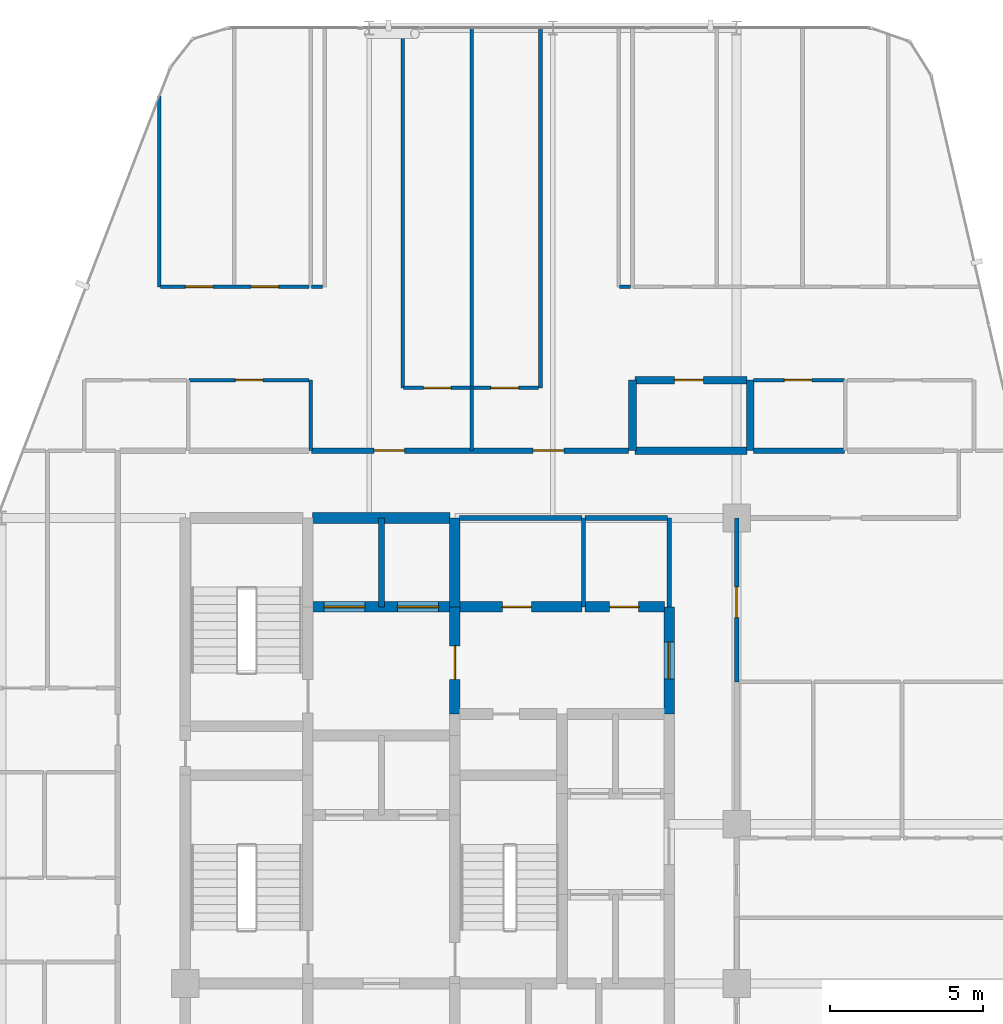
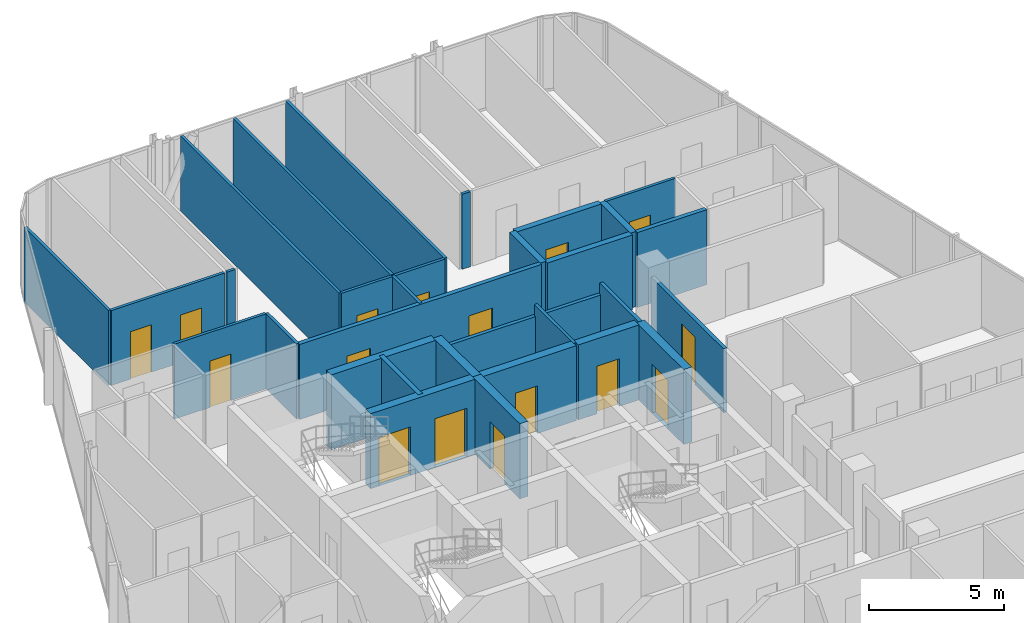
# One storey, part 27 of 29: 31 walls, 16 doors, 16 openings.
"""IFC4 building model written with IfcOpenShell, lengths in metres."""

from ifc_helpers import new_model, si_unit, direction, frame, frame_2d, origin, place, context, subcontext, project, spatial, rectangle, extrude, material, layer, layer_set, type_object, element, fill, save


model = new_model("IFC4")

# Units and contexts
model_context = context("Model", 3, precision=1e-05, world=origin(), true_north=direction((0.0, 1.0)))
body_context = subcontext(model_context, "Body", "Model", "MODEL_VIEW")
ifc_project = project(units=[si_unit("LENGTHUNIT", "METRE"), si_unit("AREAUNIT", "SQUARE_METRE"), si_unit("VOLUMEUNIT", "CUBIC_METRE"), si_unit("PLANEANGLEUNIT", "RADIAN"), si_unit("MASSUNIT", "GRAM", prefix="KILO")], contexts=[model_context])

# Site, building, storey
site_placement = place(None, origin())
site = spatial("IfcSite", under=ifc_project, at=site_placement, CompositionType="ELEMENT")
building_placement = place(site_placement, origin())
building = spatial("IfcBuilding", under=site, at=building_placement, Name="Keshet Zoharim Tower", CompositionType="ELEMENT")
storey_placement = place(building_placement, frame((0.0, 0.0, 203.199951171875)))
storey = spatial("IfcBuildingStorey", under=building, at=storey_placement, Name="L50", CompositionType="ELEMENT", Elevation=203.199951171875)

# Wall
ifc_material_1 = material(Name="Gypsum Plasterboard", Category="gypsum")
ifc_layer_1 = layer(ifc_material_1, 0.14990234375)
ifc_layer_set_1 = layer_set([ifc_layer_1], Name="Gypsum Plasterboard")
wall_type_1 = type_object("IfcWallType", Name="WL-CLIN-150", PredefinedType="STANDARD", material=ifc_layer_set_1)
wall_1_placement = place(storey_placement, frame((30.800048828125, 35.0, 0.0), z_axis=(0.0, 0.0, 1.0), x_axis=(0.0, 1.0, 0.0)))
element("IfcWall", 1, at=wall_1_placement, inside=storey, type_object=wall_type_1, Name="L50 Interior Wall 065", PredefinedType="STANDARD", context=body_context, shape_type="SweptSolid", body=[
    extrude(rectangle(XDim=2.89990234375, YDim=0.14990234375, at=frame_2d((1.449951171875, 0.0))), origin(), (0.0, 0.0, 1.0), 3.39013671875),
])

# Wall, opening, door
wall_2_placement = place(storey_placement, frame((33.0, 32.5400390625, 0.0), z_axis=(0.0, 0.0, 1.0), x_axis=(0.0, 1.0, 0.0)))
wall_2 = element("IfcWall", 2, at=wall_2_placement, inside=storey, type_object=wall_type_1, Name="L50 Interior Wall 073", PredefinedType="STANDARD", context=body_context, shape_type="SweptSolid", body=[
    extrude(rectangle(XDim=5.35986328125, YDim=0.14990234375, at=frame_2d((2.679931640625, 0.0))), origin(), (0.0, 0.0, 1.0), 2.89013671875),
])
opening_1_placement = place(wall_2_placement, frame((2.10888671875, 0.0, 0.0)))
opening_1 = element("IfcOpeningElement", 3, at=opening_1_placement, cuts=wall_2, Name="Opening D-F310", PredefinedType="OPENING", context=body_context, shape_type="SweptSolid", body=[
    extrude(rectangle(XDim=1.0, YDim=2.14990234375, at=frame_2d((0.5, 1.074951171875))), frame((0.0, 0.0849609375, 0.0), z_axis=(0.0, -1.0, 0.0), x_axis=(1.0, 0.0, 0.0)), (0.0, 0.0, 1.0), 0.169921875),
])
ifc_material_2 = material(Name="Hardwood Timber", Category="wood")
door_type_1 = type_object("IfcDoorType", Name="DR-FD30-100", OperationType="NOTDEFINED", PredefinedType="DOOR", material=ifc_material_2)
door_1_placement = place(opening_1_placement, origin())
door_1 = element("IfcDoor", 4, at=door_1_placement, inside=storey, type_object=door_type_1, Name="L50 North West Residents Services Suite Door 2", OperationType="SINGLE_SWING_LEFT", OverallHeight=2.14990234375, OverallWidth=1.0, PredefinedType="DOOR", context=body_context, shape_type="SweptSolid", body=[
    extrude(rectangle(XDim=1.0, YDim=2.14990234375, at=frame_2d((0.5, 1.074951171875))), frame((0.0, 0.02490234375, 0.0), z_axis=(0.0, -1.0, 0.0), x_axis=(1.0, 0.0, 0.0)), (0.0, 0.0, 1.0), 0.050048828125),
])
fill(opening_1, door_1)

# Walls
wall_3_placement = place(storey_placement, frame((23.9599609375, 37.89990234375, 0.0), z_axis=(0.0, 0.0, 1.0), x_axis=(1.0, 0.0, 0.0)))
element("IfcWall", 5, at=wall_3_placement, inside=storey, type_object=wall_type_1, Name="L50 Interior Wall 169", PredefinedType="STANDARD", context=body_context, shape_type="SweptSolid", body=[
    extrude(rectangle(XDim=3.9951171875, YDim=0.14990234375, at=frame_2d((1.99755859375, 0.0))), origin(), (0.0, 0.0, 1.0), 2.89013671875),
])
wall_4_placement = place(storey_placement, frame((28.044921875, 37.89990234375, 0.0), z_axis=(0.0, 0.0, 1.0), x_axis=(1.0, 0.0, 0.0)))
element("IfcWall", 6, at=wall_4_placement, inside=storey, type_object=wall_type_1, Name="L50 Interior Wall 170", PredefinedType="STANDARD", context=body_context, shape_type="SweptSolid", body=[
    extrude(rectangle(XDim=2.695068359375, YDim=0.14990234375, at=frame_2d((1.34765625, 0.0))), origin(), (0.0, 0.0, 1.0), 2.89013671875),
])

# Wall, opening, door
ifc_material_3 = material(Name="Concrete C60/75", Category="concrete")
ifc_layer_2 = layer(ifc_material_3, 0.35009765625)
ifc_layer_set_2 = layer_set([ifc_layer_2], Name="Concrete C60/75")
wall_type_2 = type_object("IfcWallType", Name="WL-CORE-350", PredefinedType="SHEAR", material=ifc_layer_set_2)
wall_5_placement = place(storey_placement, frame((23.800048828125, 31.5, 0.0), z_axis=(0.0, 0.0, 1.0), x_axis=(0.0, 1.0, 0.0)))
wall_5 = element("IfcWall", 7, at=wall_5_placement, inside=storey, type_object=wall_type_2, Name="L50 Core Shear Wall 042", PredefinedType="SHEAR", context=body_context, shape_type="SweptSolid", body=[
    extrude(rectangle(XDim=3.5, YDim=0.35009765625, at=frame_2d((1.75, 0.0))), origin(), (0.0, 0.0, 1.0), 3.39013671875),
])
opening_2_placement = place(wall_5_placement, frame((1.126953125, 0.0, 0.0)))
opening_2 = element("IfcOpeningElement", 8, at=opening_2_placement, cuts=wall_5, Name="Opening D-F611", PredefinedType="OPENING", context=body_context, shape_type="SweptSolid", body=[
    extrude(rectangle(XDim=1.10009765625, YDim=2.14990234375, at=frame_2d((0.550048828125, 1.074951171875))), frame((0.0, 0.18505859375, 0.0), z_axis=(0.0, -1.0, 0.0), x_axis=(1.0, 0.0, 0.0)), (0.0, 0.0, 1.0), 0.3701171875),
])
door_type_2 = type_object("IfcDoorType", Name="DR-FD60-110", OperationType="NOTDEFINED", PredefinedType="DOOR", material=ifc_material_2)
door_2_placement = place(opening_2_placement, origin())
door_2 = element("IfcDoor", 9, at=door_2_placement, inside=storey, type_object=door_type_2, Name="L50 Firefighting Lobby Fire Door", OperationType="SINGLE_SWING_RIGHT", OverallHeight=2.14990234375, OverallWidth=1.10009765625, PredefinedType="DOOR", context=body_context, shape_type="SweptSolid", body=[
    extrude(rectangle(XDim=1.10009765625, YDim=2.14990234375, at=frame_2d((0.550048828125, 1.074951171875))), frame((0.0, 0.02490234375, 0.0), z_axis=(0.0, -1.0, 0.0), x_axis=(1.0, 0.0, 0.0)), (0.0, 0.0, 1.0), 0.050048828125),
])
fill(opening_2, door_2)

# Wall
wall_6_placement = place(storey_placement, frame((23.800048828125, 35.0, 0.0), z_axis=(0.0, 0.0, 1.0), x_axis=(0.0, 1.0, 0.0)))
element("IfcWall", 10, at=wall_6_placement, inside=storey, type_object=wall_type_2, Name="L50 Core Shear Wall 043", PredefinedType="SHEAR", context=body_context, shape_type="SweptSolid", body=[
    extrude(rectangle(XDim=2.89990234375, YDim=0.35009765625, at=frame_2d((1.449951171875, 0.0))), origin(), (0.0, 0.0, 1.0), 3.39013671875),
])

# Wall, opening, door
wall_7_placement = place(storey_placement, frame((30.800048828125, 31.5, 0.0), z_axis=(0.0, 0.0, 1.0), x_axis=(0.0, 1.0, 0.0)))
wall_7 = element("IfcWall", 11, at=wall_7_placement, inside=storey, type_object=wall_type_2, Name="L50 Core Shear Wall 064", PredefinedType="SHEAR", context=body_context, shape_type="SweptSolid", body=[
    extrude(rectangle(XDim=3.5, YDim=0.35009765625, at=frame_2d((1.75, 0.0))), origin(), (0.0, 0.0, 1.0), 3.39013671875),
])
opening_3_placement = place(wall_7_placement, frame((1.14990234375, 0.0, 0.0)))
opening_3 = element("IfcOpeningElement", 12, at=opening_3_placement, cuts=wall_7, Name="Opening D-F612", PredefinedType="OPENING", context=body_context, shape_type="SweptSolid", body=[
    extrude(rectangle(XDim=1.199951171875, YDim=2.199951171875, at=frame_2d((0.60009765625, 1.10009765625))), frame((0.0, 0.18505859375, 0.0), z_axis=(0.0, -1.0, 0.0), x_axis=(1.0, 0.0, 0.0)), (0.0, 0.0, 1.0), 0.3701171875),
])
door_type_3 = type_object("IfcDoorType", Name="DR-FD60-120", OperationType="NOTDEFINED", PredefinedType="DOOR", material=ifc_material_2)
door_3_placement = place(opening_3_placement, origin())
door_3 = element("IfcDoor", 13, at=door_3_placement, inside=storey, type_object=door_type_3, Name="L50 North Lift Lobby East Fire Door", OperationType="SINGLE_SWING_RIGHT", OverallHeight=2.199951171875, OverallWidth=1.199951171875, PredefinedType="DOOR", context=body_context, shape_type="SweptSolid", body=[
    extrude(rectangle(XDim=1.199951171875, YDim=2.199951171875, at=frame_2d((0.60009765625, 1.10009765625))), frame((0.0, 0.02490234375, 0.0), z_axis=(0.0, -1.0, 0.0), x_axis=(1.0, 0.0, 0.0)), (0.0, 0.0, 1.0), 0.050048828125),
])
fill(opening_3, door_3)

# Wall, openings, doors
wall_8_placement = place(storey_placement, frame((19.159912109375, 35.0, 0.0), z_axis=(0.0, 0.0, 1.0), x_axis=(1.0, 0.0, 0.0)))
wall_8 = element("IfcWall", 14, at=wall_8_placement, inside=storey, type_object=wall_type_2, Name="L50 Core Shear Wall 164", PredefinedType="SHEAR", context=body_context, shape_type="SweptSolid", body=[
    extrude(rectangle(XDim=4.47998046875, YDim=0.35009765625, at=frame_2d((2.239990234375, 0.0))), origin(), (0.0, 0.0, 1.0), 3.39013671875),
])
opening_4_placement = place(wall_8_placement, frame((0.364990234375, 0.0, 0.0)))
opening_4 = element("IfcOpeningElement", 15, at=opening_4_placement, cuts=wall_8, Name="Opening LD-02", PredefinedType="OPENING", context=body_context, shape_type="SweptSolid", body=[
    extrude(rectangle(XDim=1.35009765625, YDim=2.199951171875, at=frame_2d((0.675048828125, 1.10009765625))), frame((0.0, 0.18505859375, 0.0), z_axis=(0.0, -1.0, 0.0), x_axis=(1.0, 0.0, 0.0)), (0.0, 0.0, 1.0), 0.3701171875),
])
opening_5_placement = place(wall_8_placement, frame((2.764892578125, 0.0, 0.0)))
opening_5 = element("IfcOpeningElement", 16, at=opening_5_placement, cuts=wall_8, Name="Opening LD-02", PredefinedType="OPENING", context=body_context, shape_type="SweptSolid", body=[
    extrude(rectangle(XDim=1.35009765625, YDim=2.199951171875, at=frame_2d((0.675048828125, 1.10009765625))), frame((0.0, 0.18505859375, 0.0), z_axis=(0.0, -1.0, 0.0), x_axis=(1.0, 0.0, 0.0)), (0.0, 0.0, 1.0), 0.3701171875),
])
ifc_material_4 = material(Name="Steel S355", Category="steel")
door_type_4 = type_object("IfcDoorType", Name="DR-LD02-135", OperationType="DOUBLE_DOOR_SLIDING", PredefinedType="DOOR", material=ifc_material_4)
door_4_placement = place(opening_4_placement, origin())
door_4 = element("IfcDoor", 17, at=door_4_placement, inside=storey, type_object=door_type_4, Name="L50 Firefighting Lift Landing Door FF-01", OperationType="DOUBLE_DOOR_SLIDING", OverallHeight=2.199951171875, OverallWidth=1.35009765625, PredefinedType="DOOR", context=body_context, shape_type="SweptSolid", body=[
    extrude(rectangle(XDim=1.35009765625, YDim=2.199951171875, at=frame_2d((0.675048828125, 1.10009765625))), frame((0.0, 0.02490234375, 0.0), z_axis=(0.0, -1.0, 0.0), x_axis=(1.0, 0.0, 0.0)), (0.0, 0.0, 1.0), 0.050048828125),
])
fill(opening_4, door_4)
door_5_placement = place(opening_5_placement, origin())
door_5 = element("IfcDoor", 18, at=door_5_placement, inside=storey, type_object=door_type_4, Name="L50 Firefighting Lift Landing Door FF-02", OperationType="DOUBLE_DOOR_SLIDING", OverallHeight=2.199951171875, OverallWidth=1.35009765625, PredefinedType="DOOR", context=body_context, shape_type="SweptSolid", body=[
    extrude(rectangle(XDim=1.35009765625, YDim=2.199951171875, at=frame_2d((0.675048828125, 1.10009765625))), frame((0.0, 0.02490234375, 0.0), z_axis=(0.0, -1.0, 0.0), x_axis=(1.0, 0.0, 0.0)), (0.0, 0.0, 1.0), 0.050048828125),
])
fill(opening_5, door_5)

# Wall, opening, door
wall_9_placement = place(storey_placement, frame((23.9599609375, 35.0, 0.0), z_axis=(0.0, 0.0, 1.0), x_axis=(1.0, 0.0, 0.0)))
wall_9 = element("IfcWall", 19, at=wall_9_placement, inside=storey, type_object=wall_type_2, Name="L50 Core Shear Wall 165", PredefinedType="SHEAR", context=body_context, shape_type="SweptSolid", body=[
    extrude(rectangle(XDim=3.9951171875, YDim=0.35009765625, at=frame_2d((1.99755859375, 0.0))), origin(), (0.0, 0.0, 1.0), 3.39013671875),
])
opening_6_placement = place(wall_9_placement, frame((1.39306640625, 0.0, 0.0)))
opening_6 = element("IfcOpeningElement", 20, at=opening_6_placement, cuts=wall_9, Name="Opening D-F695", PredefinedType="OPENING", context=body_context, shape_type="SweptSolid", body=[
    extrude(rectangle(XDim=0.949951171875, YDim=2.14990234375, at=frame_2d((0.47509765625, 1.074951171875))), frame((0.0, 0.18505859375, 0.0), z_axis=(0.0, -1.0, 0.0), x_axis=(1.0, 0.0, 0.0)), (0.0, 0.0, 1.0), 0.3701171875),
])
door_type_5 = type_object("IfcDoorType", Name="DR-FD60-095", OperationType="NOTDEFINED", PredefinedType="DOOR", material=ifc_material_2)
door_6_placement = place(opening_6_placement, frame((0.949951171875, 0.0, 0.0), z_axis=(0.0, 0.0, 1.0), x_axis=(-1.0, 0.0, 0.0)))
door_6 = element("IfcDoor", 21, at=door_6_placement, inside=storey, type_object=door_type_5, Name="L50 Laundry Room Door", OperationType="SINGLE_SWING_LEFT", OverallHeight=2.14990234375, OverallWidth=0.949951171875, PredefinedType="DOOR", context=body_context, shape_type="SweptSolid", body=[
    extrude(rectangle(XDim=0.949951171875, YDim=2.14990234375, at=frame_2d((0.47509765625, 1.074951171875))), frame((0.0, 0.02490234375, 0.0), z_axis=(0.0, -1.0, 0.0), x_axis=(1.0, 0.0, 0.0)), (0.0, 0.0, 1.0), 0.050048828125),
])
fill(opening_6, door_6)

wall_10_placement = place(storey_placement, frame((28.044921875, 35.0, 0.0), z_axis=(0.0, 0.0, 1.0), x_axis=(1.0, 0.0, 0.0)))
wall_10 = element("IfcWall", 22, at=wall_10_placement, inside=storey, type_object=wall_type_2, Name="L50 Core Shear Wall 166", PredefinedType="SHEAR", context=body_context, shape_type="SweptSolid", body=[
    extrude(rectangle(XDim=2.594970703125, YDim=0.35009765625, at=frame_2d((1.29736328125, 0.0))), origin(), (0.0, 0.0, 1.0), 3.39013671875),
])
opening_7_placement = place(wall_10_placement, frame((0.805908203125, 0.0, 0.0)))
opening_7 = element("IfcOpeningElement", 23, at=opening_7_placement, cuts=wall_10, Name="Opening D-F695", PredefinedType="OPENING", context=body_context, shape_type="SweptSolid", body=[
    extrude(rectangle(XDim=0.949951171875, YDim=2.14990234375, at=frame_2d((0.47509765625, 1.074951171875))), frame((0.0, 0.18505859375, 0.0), z_axis=(0.0, -1.0, 0.0), x_axis=(1.0, 0.0, 0.0)), (0.0, 0.0, 1.0), 0.3701171875),
])
door_7_placement = place(opening_7_placement, frame((0.949951171875, 0.0, 0.0), z_axis=(0.0, 0.0, 1.0), x_axis=(-1.0, 0.0, 0.0)))
door_7 = element("IfcDoor", 24, at=door_7_placement, inside=storey, type_object=door_type_5, Name="L50 Quiet Study Room Door", OperationType="SINGLE_SWING_RIGHT", OverallHeight=2.14990234375, OverallWidth=0.949951171875, PredefinedType="DOOR", context=body_context, shape_type="SweptSolid", body=[
    extrude(rectangle(XDim=0.949951171875, YDim=2.14990234375, at=frame_2d((0.47509765625, 1.074951171875))), frame((0.0, 0.02490234375, 0.0), z_axis=(0.0, -1.0, 0.0), x_axis=(1.0, 0.0, 0.0)), (0.0, 0.0, 1.0), 0.050048828125),
])
fill(opening_7, door_7)

# Wall
wall_11_placement = place(storey_placement, frame((19.159912109375, 37.89990234375, 0.0), z_axis=(0.0, 0.0, 1.0), x_axis=(1.0, 0.0, 0.0)))
element("IfcWall", 25, at=wall_11_placement, inside=storey, type_object=wall_type_2, Name="L50 Core Shear Wall 168", PredefinedType="SHEAR", context=body_context, shape_type="SweptSolid", body=[
    extrude(rectangle(XDim=4.47998046875, YDim=0.35009765625, at=frame_2d((2.239990234375, 0.0))), origin(), (0.0, 0.0, 1.0), 3.39013671875),
])

# Wall, openings, doors
ifc_layer_3 = layer(ifc_material_1, 0.179931640625)
ifc_layer_set_3 = layer_set([ifc_layer_3], Name="Gypsum Plasterboard")
wall_type_3 = type_object("IfcWallType", Name="WL-CORR-180", PredefinedType="STANDARD", material=ifc_layer_set_3)
wall_12_placement = place(storey_placement, frame((19.125, 40.10009765625, 0.0), z_axis=(0.0, 0.0, 1.0), x_axis=(1.0, 0.0, 0.0)))
wall_12 = element("IfcWall", 26, at=wall_12_placement, inside=storey, type_object=wall_type_3, Name="L50 Interior Wall 177", PredefinedType="STANDARD", context=body_context, shape_type="SweptSolid", body=[
    extrude(rectangle(XDim=10.344970703125, YDim=0.179931640625, at=frame_2d((5.17236328125, 0.0))), origin(), (0.0, 0.0, 1.0), 3.39013671875),
])
opening_8_placement = place(wall_12_placement, frame((2.034912109375, 0.0, 0.0)))
opening_8 = element("IfcOpeningElement", 27, at=opening_8_placement, cuts=wall_12, Name="Opening D-F310", PredefinedType="OPENING", context=body_context, shape_type="SweptSolid", body=[
    extrude(rectangle(XDim=1.0, YDim=2.14990234375, at=frame_2d((0.5, 1.074951171875))), frame((0.0, 0.10009765625, 0.0), z_axis=(0.0, -1.0, 0.0), x_axis=(1.0, 0.0, 0.0)), (0.0, 0.0, 1.0), 0.199951171875),
])
opening_9_placement = place(wall_12_placement, frame((7.235107421875, 0.0, 0.0)))
opening_9 = element("IfcOpeningElement", 28, at=opening_9_placement, cuts=wall_12, Name="Opening D-F310", PredefinedType="OPENING", context=body_context, shape_type="SweptSolid", body=[
    extrude(rectangle(XDim=1.0, YDim=2.14990234375, at=frame_2d((0.5, 1.074951171875))), frame((0.0, 0.10009765625, 0.0), z_axis=(0.0, -1.0, 0.0), x_axis=(1.0, 0.0, 0.0)), (0.0, 0.0, 1.0), 0.199951171875),
])
door_8_placement = place(opening_8_placement, origin())
door_8 = element("IfcDoor", 29, at=door_8_placement, inside=storey, type_object=door_type_1, Name="Apartment 5005 Entrance Door", OperationType="SINGLE_SWING_RIGHT", OverallHeight=2.14990234375, OverallWidth=1.0, PredefinedType="DOOR", context=body_context, shape_type="SweptSolid", body=[
    extrude(rectangle(XDim=1.0, YDim=2.14990234375, at=frame_2d((0.5, 1.074951171875))), frame((0.0, 0.02490234375, 0.0), z_axis=(0.0, -1.0, 0.0), x_axis=(1.0, 0.0, 0.0)), (0.0, 0.0, 1.0), 0.050048828125),
])
fill(opening_8, door_8)
door_9_placement = place(opening_9_placement, origin())
door_9 = element("IfcDoor", 30, at=door_9_placement, inside=storey, type_object=door_type_1, Name="Apartment 5006 Entrance Door", OperationType="SINGLE_SWING_LEFT", OverallHeight=2.14990234375, OverallWidth=1.0, PredefinedType="DOOR", context=body_context, shape_type="SweptSolid", body=[
    extrude(rectangle(XDim=1.0, YDim=2.14990234375, at=frame_2d((0.5, 1.074951171875))), frame((0.0, 0.02490234375, 0.0), z_axis=(0.0, -1.0, 0.0), x_axis=(1.0, 0.0, 0.0)), (0.0, 0.0, 1.0), 0.050048828125),
])
fill(opening_9, door_9)

# Walls
wall_13_placement = place(storey_placement, frame((33.555908203125, 40.10009765625, 0.0), z_axis=(0.0, 0.0, 1.0), x_axis=(1.0, 0.0, 0.0)))
element("IfcWall", 31, at=wall_13_placement, inside=storey, type_object=wall_type_3, Name="L50 Interior Wall 179", PredefinedType="STANDARD", context=body_context, shape_type="SweptSolid", body=[
    extrude(rectangle(XDim=2.97314453125, YDim=0.179931640625, at=frame_2d((1.486572265625, 0.0))), origin(), (0.0, 0.0, 1.0), 3.39013671875),
])
ifc_material_5 = material(Name="Concrete C50/60", Category="concrete")
ifc_layer_4 = layer(ifc_material_5, 0.199951171875)
ifc_layer_set_4 = layer_set([ifc_layer_4], Name="Concrete C50/60")
wall_type_4 = type_object("IfcWallType", Name="WL-FIRE-200", PredefinedType="STANDARD", material=ifc_layer_set_4)
wall_14_placement = place(storey_placement, frame((21.39990234375, 35.0, 0.0), z_axis=(0.0, 0.0, 1.0), x_axis=(0.0, 1.0, 0.0)))
element("IfcWall", 32, at=wall_14_placement, inside=storey, type_object=wall_type_4, Name="L50 Interior Wall 035", PredefinedType="STANDARD", context=body_context, shape_type="SweptSolid", body=[
    extrude(rectangle(XDim=2.89990234375, YDim=0.199951171875, at=frame_2d((1.449951171875, 0.0))), origin(), (0.0, 0.0, 1.0), 3.39013671875),
])
ifc_layer_5 = layer(ifc_material_5, 0.25)
ifc_layer_set_5 = layer_set([ifc_layer_5], Name="Concrete C50/60")
wall_type_5 = type_object("IfcWallType", Name="WL-MAMAD-250", PredefinedType="STANDARD", material=ifc_layer_set_5)
for number, where, z_axis, x_axis, name in (
    (33, (29.60009765625, 40.10009765625, 0.0), (0.0, 0.0, 1.0), (0.0, 1.0, 0.0), "L50 Interior Wall 058"),
    (34, (33.449951171875, 40.10009765625, 0.0), (0.0, 0.0, 1.0), (0.0, 1.0, 0.0), "L50 Interior Wall 074"),
):
    element("IfcWall", number, at=place(storey_placement, frame(where, z_axis=z_axis, x_axis=x_axis)), inside=storey, type_object=wall_type_5, Name=name, PredefinedType="STANDARD", context=body_context, shape_type="SweptSolid", body=[
        extrude(rectangle(XDim=2.2998046875, YDim=0.25, at=frame_2d((1.14990234375, 0.0))), origin(), (0.0, 0.0, 1.0), 3.39013671875),
    ])
wall_15_placement = place(storey_placement, frame((29.68994140625, 40.10009765625, 0.0), z_axis=(0.0, 0.0, 1.0), x_axis=(1.0, 0.0, 0.0)))
element("IfcWall", 35, at=wall_15_placement, inside=storey, type_object=wall_type_5, Name="L50 Interior Wall 178", PredefinedType="STANDARD", context=body_context, shape_type="SweptSolid", body=[
    extrude(rectangle(XDim=3.64599609375, YDim=0.25, at=frame_2d((1.822998046875, 0.0))), origin(), (0.0, 0.0, 1.0), 3.39013671875),
])

# Wall, opening, door
wall_16_placement = place(storey_placement, frame((29.68994140625, 42.39990234375, 0.0), z_axis=(0.0, 0.0, 1.0), x_axis=(1.0, 0.0, 0.0)))
wall_16 = element("IfcWall", 36, at=wall_16_placement, inside=storey, type_object=wall_type_5, Name="L50 Interior Wall 187", PredefinedType="STANDARD", context=body_context, shape_type="SweptSolid", body=[
    extrude(rectangle(XDim=3.64599609375, YDim=0.25, at=frame_2d((1.822998046875, 0.0))), origin(), (0.0, 0.0, 1.0), 3.39013671875),
])
opening_10_placement = place(wall_16_placement, frame((1.277099609375, 0.0, 0.0)))
opening_10 = element("IfcOpeningElement", 37, at=opening_10_placement, cuts=wall_16, Name="Opening D-F695", PredefinedType="OPENING", context=body_context, shape_type="SweptSolid", body=[
    extrude(rectangle(XDim=0.949951171875, YDim=2.14990234375, at=frame_2d((0.47509765625, 1.074951171875))), frame((0.0, 0.135009765625, 0.0), z_axis=(0.0, -1.0, 0.0), x_axis=(1.0, 0.0, 0.0)), (0.0, 0.0, 1.0), 0.27001953125),
])
door_10_placement = place(opening_10_placement, origin())
door_10 = element("IfcDoor", 38, at=door_10_placement, inside=storey, type_object=door_type_5, Name="Apartment 5006 Study and Shelter Room Door", OperationType="SINGLE_SWING_RIGHT", OverallHeight=2.14990234375, OverallWidth=0.949951171875, PredefinedType="DOOR", context=body_context, shape_type="SweptSolid", body=[
    extrude(rectangle(XDim=0.949951171875, YDim=2.14990234375, at=frame_2d((0.47509765625, 1.074951171875))), frame((0.0, 0.02490234375, 0.0), z_axis=(0.0, -1.0, 0.0), x_axis=(1.0, 0.0, 0.0)), (0.0, 0.0, 1.0), 0.050048828125),
])
fill(opening_10, door_10)

# Walls
ifc_layer_6 = layer(ifc_material_1, 0.1201171875)
ifc_layer_set_6 = layer_set([ifc_layer_6], Name="Gypsum Plasterboard")
wall_type_6 = type_object("IfcWallType", Name="WL-PART-120", PredefinedType="PARTITIONING", material=ifc_layer_set_6)
wall_17_placement = place(storey_placement, frame((14.14990234375, 45.449951171875, 0.0), z_axis=(0.0, 0.0, 1.0), x_axis=(0.0, 1.0, 0.0)))
element("IfcWall", 39, at=wall_17_placement, inside=storey, type_object=wall_type_6, Name="L50 Interior Wall 014", PredefinedType="PARTITIONING", context=body_context, shape_type="SweptSolid", body=[
    extrude(rectangle(XDim=6.22998046875, YDim=0.1201171875, at=frame_2d((3.114990234375, 0.0))), origin(), (0.0, 0.0, 1.0), 3.39013671875),
])
wall_18_placement = place(storey_placement, frame((22.10009765625, 42.14990234375, 0.0), z_axis=(0.0, 0.0, 1.0), x_axis=(0.0, 1.0, 0.0)))
element("IfcWall", 40, at=wall_18_placement, inside=storey, type_object=wall_type_6, Name="L50 Interior Wall 036", PredefinedType="PARTITIONING", context=body_context, shape_type="SweptSolid", body=[
    extrude(rectangle(XDim=11.739990234375, YDim=0.1201171875, at=frame_2d((5.8701171875, 0.0))), origin(), (0.0, 0.0, 1.0), 3.39013671875),
])
wall_19_placement = place(storey_placement, frame((24.35009765625, 40.10009765625, 0.0), z_axis=(0.0, 0.0, 1.0), x_axis=(0.0, 1.0, 0.0)))
element("IfcWall", 41, at=wall_19_placement, inside=storey, type_object=wall_type_6, Name="L50 Interior Wall 044", PredefinedType="PARTITIONING", context=body_context, shape_type="SweptSolid", body=[
    extrude(rectangle(XDim=2.0498046875, YDim=0.1201171875, at=frame_2d((1.02490234375, 0.0))), origin(), (0.0, 0.0, 1.0), 3.39013671875),
])
for number, where, z_axis, x_axis, name in (
    (42, (24.35009765625, 42.14990234375, 0.0), (0.0, 0.0, 1.0), (0.0, 1.0, 0.0), "L50 Interior Wall 045"),
    (43, (26.60009765625, 42.14990234375, 0.0), (0.0, 0.0, 1.0), (0.0, 1.0, 0.0), "L50 Interior Wall 047"),
):
    element("IfcWall", number, at=place(storey_placement, frame(where, z_axis=z_axis, x_axis=x_axis)), inside=storey, type_object=wall_type_6, Name=name, PredefinedType="PARTITIONING", context=body_context, shape_type="SweptSolid", body=[
        extrude(rectangle(XDim=11.739990234375, YDim=0.1201171875, at=frame_2d((5.8701171875, 0.0))), origin(), (0.0, 0.0, 1.0), 3.39013671875),
    ])
wall_20_placement = place(storey_placement, frame((28.0, 35.0, 0.0), z_axis=(0.0, 0.0, 1.0), x_axis=(0.0, 1.0, 0.0)))
element("IfcWall", 44, at=wall_20_placement, inside=storey, type_object=wall_type_6, Name="L50 Interior Wall 053", PredefinedType="PARTITIONING", context=body_context, shape_type="SweptSolid", body=[
    extrude(rectangle(XDim=2.89990234375, YDim=0.1201171875, at=frame_2d((1.449951171875, 0.0))), origin(), (0.0, 0.0, 1.0), 3.39013671875),
])

# Wall, openings, doors
wall_21_placement = place(storey_placement, frame((22.125, 42.14990234375, 0.0), z_axis=(0.0, 0.0, 1.0), x_axis=(1.0, 0.0, 0.0)))
wall_21 = element("IfcWall", 45, at=wall_21_placement, inside=storey, type_object=wall_type_6, Name="L50 Interior Wall 184", PredefinedType="PARTITIONING", context=body_context, shape_type="SweptSolid", body=[
    extrude(rectangle(XDim=4.409912109375, YDim=0.1201171875, at=frame_2d((2.205078125, 0.0))), origin(), (0.0, 0.0, 1.0), 3.39013671875),
])
opening_11_placement = place(wall_21_placement, frame((0.655029296875, 0.0, 0.0)))
opening_11 = element("IfcOpeningElement", 46, at=opening_11_placement, cuts=wall_21, Name="Opening D-IN90", PredefinedType="OPENING", context=body_context, shape_type="SweptSolid", body=[
    extrude(rectangle(XDim=0.89990234375, YDim=2.14990234375, at=frame_2d((0.449951171875, 1.074951171875))), frame((0.0, 0.070068359375, 0.0), z_axis=(0.0, -1.0, 0.0), x_axis=(1.0, 0.0, 0.0)), (0.0, 0.0, 1.0), 0.14013671875),
])
opening_12_placement = place(wall_21_placement, frame((2.85498046875, 0.0, 0.0)))
opening_12 = element("IfcOpeningElement", 47, at=opening_12_placement, cuts=wall_21, Name="Opening D-IN90", PredefinedType="OPENING", context=body_context, shape_type="SweptSolid", body=[
    extrude(rectangle(XDim=0.89990234375, YDim=2.14990234375, at=frame_2d((0.449951171875, 1.074951171875))), frame((0.0, 0.070068359375, 0.0), z_axis=(0.0, -1.0, 0.0), x_axis=(1.0, 0.0, 0.0)), (0.0, 0.0, 1.0), 0.14013671875),
])
door_type_6 = type_object("IfcDoorType", Name="DR-INT-090", OperationType="NOTDEFINED", PredefinedType="DOOR", material=ifc_material_2)
door_11_placement = place(opening_11_placement, origin())
door_11 = element("IfcDoor", 48, at=door_11_placement, inside=storey, type_object=door_type_6, Name="Apartment 5005 Formal Dining Room Door", OperationType="SINGLE_SWING_RIGHT", OverallHeight=2.14990234375, OverallWidth=0.89990234375, PredefinedType="DOOR", context=body_context, shape_type="SweptSolid", body=[
    extrude(rectangle(XDim=0.89990234375, YDim=2.14990234375, at=frame_2d((0.449951171875, 1.074951171875))), frame((0.0, 0.02490234375, 0.0), z_axis=(0.0, -1.0, 0.0), x_axis=(1.0, 0.0, 0.0)), (0.0, 0.0, 1.0), 0.050048828125),
])
fill(opening_11, door_11)
door_12_placement = place(opening_12_placement, origin())
door_12 = element("IfcDoor", 49, at=door_12_placement, inside=storey, type_object=door_type_6, Name="Apartment 5006 Formal Dining Room Door", OperationType="SINGLE_SWING_LEFT", OverallHeight=2.14990234375, OverallWidth=0.89990234375, PredefinedType="DOOR", context=body_context, shape_type="SweptSolid", body=[
    extrude(rectangle(XDim=0.89990234375, YDim=2.14990234375, at=frame_2d((0.449951171875, 1.074951171875))), frame((0.0, 0.02490234375, 0.0), z_axis=(0.0, -1.0, 0.0), x_axis=(1.0, 0.0, 0.0)), (0.0, 0.0, 1.0), 0.050048828125),
])
fill(opening_12, door_12)

wall_22_placement = place(storey_placement, frame((14.19091796875, 45.449951171875, 0.0), z_axis=(0.0, 0.0, 1.0), x_axis=(1.0, 0.0, 0.0)))
wall_22 = element("IfcWall", 50, at=wall_22_placement, inside=storey, type_object=wall_type_6, Name="L50 Interior Wall 190", PredefinedType="PARTITIONING", context=body_context, shape_type="SweptSolid", body=[
    extrude(rectangle(XDim=4.843994140625, YDim=0.1201171875, at=frame_2d((2.421875, 0.0))), origin(), (0.0, 0.0, 1.0), 3.39013671875),
])
opening_13_placement = place(wall_22_placement, frame((0.81298828125, 0.0, 0.0)))
opening_13 = element("IfcOpeningElement", 51, at=opening_13_placement, cuts=wall_22, Name="Opening D-IN90", PredefinedType="OPENING", context=body_context, shape_type="SweptSolid", body=[
    extrude(rectangle(XDim=0.89990234375, YDim=2.14990234375, at=frame_2d((0.449951171875, 1.074951171875))), frame((0.0, 0.070068359375, 0.0), z_axis=(0.0, -1.0, 0.0), x_axis=(1.0, 0.0, 0.0)), (0.0, 0.0, 1.0), 0.14013671875),
])
opening_14_placement = place(wall_22_placement, frame((2.9580078125, 0.0, 0.0)))
opening_14 = element("IfcOpeningElement", 52, at=opening_14_placement, cuts=wall_22, Name="Opening D-IN90", PredefinedType="OPENING", context=body_context, shape_type="SweptSolid", body=[
    extrude(rectangle(XDim=0.89990234375, YDim=2.14990234375, at=frame_2d((0.449951171875, 1.074951171875))), frame((0.0, 0.070068359375, 0.0), z_axis=(0.0, -1.0, 0.0), x_axis=(1.0, 0.0, 0.0)), (0.0, 0.0, 1.0), 0.14013671875),
])
door_13_placement = place(opening_13_placement, origin())
door_13 = element("IfcDoor", 53, at=door_13_placement, inside=storey, type_object=door_type_6, Name="Apartment 5005 Bedroom 2 Door", OperationType="SINGLE_SWING_LEFT", OverallHeight=2.14990234375, OverallWidth=0.89990234375, PredefinedType="DOOR", context=body_context, shape_type="SweptSolid", body=[
    extrude(rectangle(XDim=0.89990234375, YDim=2.14990234375, at=frame_2d((0.449951171875, 1.074951171875))), frame((0.0, 0.02490234375, 0.0), z_axis=(0.0, -1.0, 0.0), x_axis=(1.0, 0.0, 0.0)), (0.0, 0.0, 1.0), 0.050048828125),
])
fill(opening_13, door_13)
door_14_placement = place(opening_14_placement, origin())
door_14 = element("IfcDoor", 54, at=door_14_placement, inside=storey, type_object=door_type_6, Name="Apartment 5005 Bedroom 3 Door", OperationType="SINGLE_SWING_RIGHT", OverallHeight=2.14990234375, OverallWidth=0.89990234375, PredefinedType="DOOR", context=body_context, shape_type="SweptSolid", body=[
    extrude(rectangle(XDim=0.89990234375, YDim=2.14990234375, at=frame_2d((0.449951171875, 1.074951171875))), frame((0.0, 0.02490234375, 0.0), z_axis=(0.0, -1.0, 0.0), x_axis=(1.0, 0.0, 0.0)), (0.0, 0.0, 1.0), 0.050048828125),
])
fill(opening_14, door_14)

# Walls
wall_23_placement = place(storey_placement, frame((19.125, 45.449951171875, 0.0), z_axis=(0.0, 0.0, 1.0), x_axis=(1.0, 0.0, 0.0)))
element("IfcWall", 55, at=wall_23_placement, inside=storey, type_object=wall_type_6, Name="L50 Interior Wall 191", PredefinedType="PARTITIONING", context=body_context, shape_type="SweptSolid", body=[
    extrude(rectangle(XDim=0.360107421875, YDim=0.1201171875, at=frame_2d((0.18017578125, 0.0))), origin(), (0.0, 0.0, 1.0), 3.39013671875),
])
wall_24_placement = place(storey_placement, frame((29.175048828125, 45.449951171875, 0.0), z_axis=(0.0, 0.0, 1.0), x_axis=(1.0, 0.0, 0.0)))
element("IfcWall", 56, at=wall_24_placement, inside=storey, type_object=wall_type_6, Name="L50 Interior Wall 192", PredefinedType="PARTITIONING", context=body_context, shape_type="SweptSolid", body=[
    extrude(rectangle(XDim=0.35986328125, YDim=0.1201171875, at=frame_2d((0.179931640625, 0.0))), origin(), (0.0, 0.0, 1.0), 3.39013671875),
])
ifc_layer_7 = layer(ifc_material_1, 0.1201171875)
ifc_layer_set_7 = layer_set([ifc_layer_7], Name="Gypsum Plasterboard")
wall_type_7 = type_object("IfcWallType", Name="WL-WET-120", PredefinedType="PARTITIONING", material=ifc_layer_set_7)
wall_25_placement = place(storey_placement, frame((19.10009765625, 40.10009765625, 0.0), z_axis=(0.0, 0.0, 1.0), x_axis=(0.0, 1.0, 0.0)))
element("IfcWall", 57, at=wall_25_placement, inside=storey, type_object=wall_type_7, Name="L50 Interior Wall 030", PredefinedType="PARTITIONING", context=body_context, shape_type="SweptSolid", body=[
    extrude(rectangle(XDim=2.2998046875, YDim=0.1201171875, at=frame_2d((1.14990234375, 0.0))), origin(), (0.0, 0.0, 1.0), 3.39013671875),
])

# Wall, opening, door
wall_26_placement = place(storey_placement, frame((15.1279296875, 42.39990234375, 0.0), z_axis=(0.0, 0.0, 1.0), x_axis=(1.0, 0.0, 0.0)))
wall_26 = element("IfcWall", 58, at=wall_26_placement, inside=storey, type_object=wall_type_7, Name="L50 Interior Wall 186", PredefinedType="PARTITIONING", context=body_context, shape_type="SweptSolid", body=[
    extrude(rectangle(XDim=3.906982421875, YDim=0.1201171875, at=frame_2d((1.95361328125, 0.0))), origin(), (0.0, 0.0, 1.0), 3.39013671875),
])
opening_15_placement = place(wall_26_placement, frame((1.5029296875, 0.0, 0.0)))
opening_15 = element("IfcOpeningElement", 59, at=opening_15_placement, cuts=wall_26, Name="Opening D-WT90", PredefinedType="OPENING", context=body_context, shape_type="SweptSolid", body=[
    extrude(rectangle(XDim=0.89990234375, YDim=2.10009765625, at=frame_2d((0.449951171875, 1.050048828125))), frame((0.0, 0.070068359375, 0.0), z_axis=(0.0, -1.0, 0.0), x_axis=(1.0, 0.0, 0.0)), (0.0, 0.0, 1.0), 0.14013671875),
])
door_type_7 = type_object("IfcDoorType", Name="DR-WET-090", OperationType="NOTDEFINED", PredefinedType="DOOR", material=ifc_material_2)
door_15_placement = place(opening_15_placement, origin())
door_15 = element("IfcDoor", 60, at=door_15_placement, inside=storey, type_object=door_type_7, Name="Apartment 5005 Bathroom Door", OperationType="SINGLE_SWING_LEFT", OverallHeight=2.10009765625, OverallWidth=0.89990234375, PredefinedType="DOOR", context=body_context, shape_type="SweptSolid", body=[
    extrude(rectangle(XDim=0.89990234375, YDim=2.10009765625, at=frame_2d((0.449951171875, 1.050048828125))), frame((0.0, 0.02490234375, 0.0), z_axis=(0.0, -1.0, 0.0), x_axis=(1.0, 0.0, 0.0)), (0.0, 0.0, 1.0), 0.050048828125),
])
fill(opening_15, door_15)

wall_27_placement = place(storey_placement, frame((33.555908203125, 42.39990234375, 0.0), z_axis=(0.0, 0.0, 1.0), x_axis=(1.0, 0.0, 0.0)))
wall_27 = element("IfcWall", 61, at=wall_27_placement, inside=storey, type_object=wall_type_7, Name="L50 Interior Wall 188", PredefinedType="PARTITIONING", context=body_context, shape_type="SweptSolid", body=[
    extrude(rectangle(XDim=2.97314453125, YDim=0.1201171875, at=frame_2d((1.486572265625, 0.0))), origin(), (0.0, 0.0, 1.0), 3.39013671875),
])
opening_16_placement = place(wall_27_placement, frame((1.00390625, 0.0, 0.0)))
opening_16 = element("IfcOpeningElement", 62, at=opening_16_placement, cuts=wall_27, Name="Opening D-WT90", PredefinedType="OPENING", context=body_context, shape_type="SweptSolid", body=[
    extrude(rectangle(XDim=0.89990234375, YDim=2.10009765625, at=frame_2d((0.449951171875, 1.050048828125))), frame((0.0, 0.070068359375, 0.0), z_axis=(0.0, -1.0, 0.0), x_axis=(1.0, 0.0, 0.0)), (0.0, 0.0, 1.0), 0.14013671875),
])
door_16_placement = place(opening_16_placement, origin())
door_16 = element("IfcDoor", 63, at=door_16_placement, inside=storey, type_object=door_type_7, Name="Apartment 5006 Bathroom Door", OperationType="SINGLE_SWING_LEFT", OverallHeight=2.10009765625, OverallWidth=0.89990234375, PredefinedType="DOOR", context=body_context, shape_type="SweptSolid", body=[
    extrude(rectangle(XDim=0.89990234375, YDim=2.10009765625, at=frame_2d((0.449951171875, 1.050048828125))), frame((0.0, 0.02490234375, 0.0), z_axis=(0.0, -1.0, 0.0), x_axis=(1.0, 0.0, 0.0)), (0.0, 0.0, 1.0), 0.050048828125),
])
fill(opening_16, door_16)

save(model, "model.ifc")
